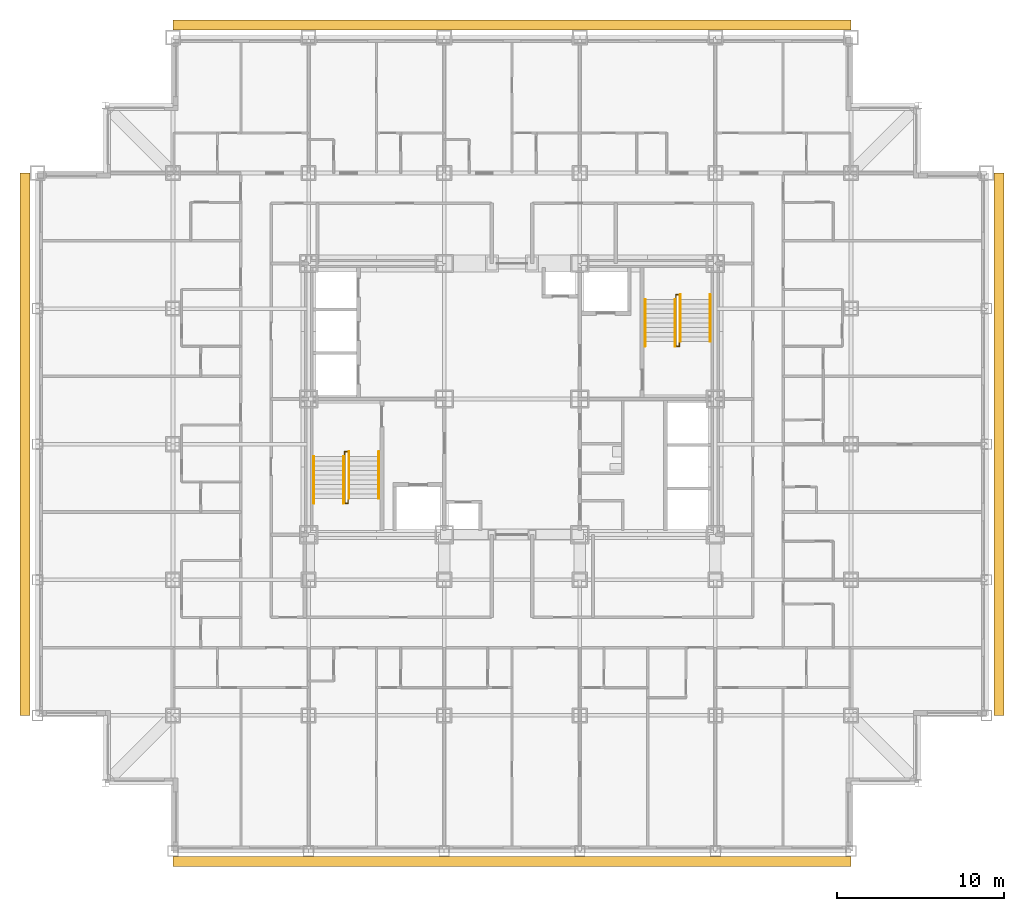
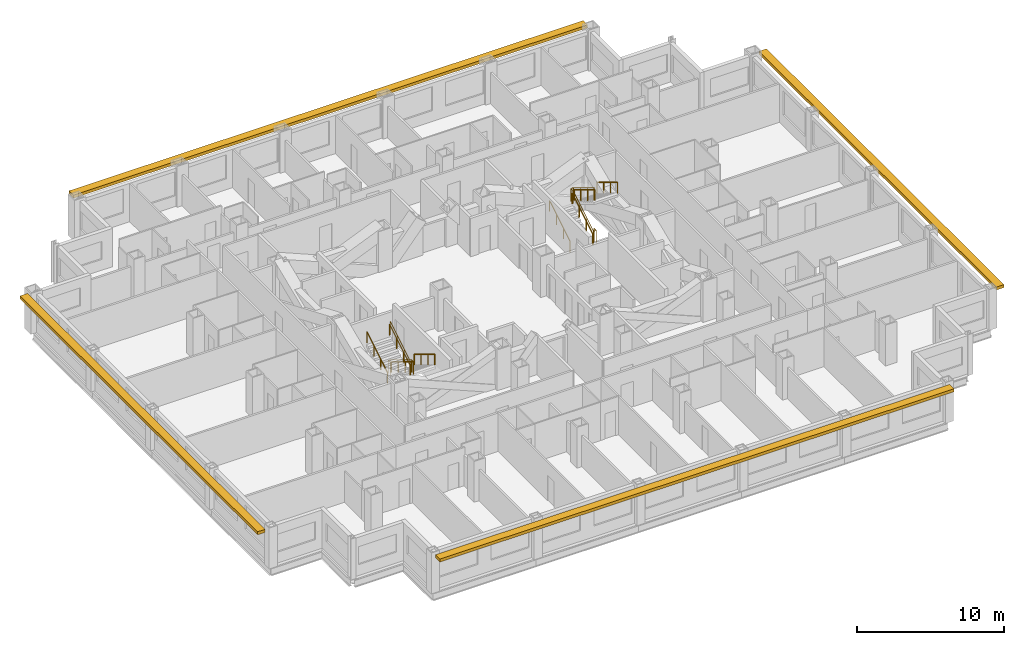
# One storey, part 12 of 13: 10 railings, 4 shading devices.
"""IFC4 building model written with IfcOpenShell, lengths in metres."""

from ifc_helpers import new_model, si_unit, direction, frame, origin, origin_2d, place, context, subcontext, project, spatial, rectangle, circle, extrude, material, type_object, element, save


model = new_model("IFC4")

# Units and contexts
model_context = context("Model", 3, precision=1e-05, world=origin(), true_north=direction((0.0, 1.0)))
body_context = subcontext(model_context, "Body", "Model", "MODEL_VIEW")
ifc_project = project(units=[si_unit("LENGTHUNIT", "METRE"), si_unit("AREAUNIT", "SQUARE_METRE"), si_unit("VOLUMEUNIT", "CUBIC_METRE"), si_unit("PLANEANGLEUNIT", "RADIAN"), si_unit("MASSUNIT", "GRAM", prefix="KILO")], contexts=[model_context])

# Site, building, storey
site_placement = place(None, origin())
site = spatial("IfcSite", under=ifc_project, at=site_placement, CompositionType="ELEMENT")
building_placement = place(site_placement, origin())
building = spatial("IfcBuilding", under=site, at=building_placement, Name="Kopane Lantern Tower", CompositionType="ELEMENT")
storey_placement = place(building_placement, frame((0.0, 0.0, 113.60009765625)))
storey = spatial("IfcBuildingStorey", under=building, at=storey_placement, Name="L28", CompositionType="ELEMENT", Elevation=113.60009765625)

# Railings
ifc_material_1 = material(Name="Steel", Category="steel")
railing_type_1 = type_object("IfcRailingType", Name="STAIR GUARD 1100", PredefinedType="GUARDRAIL", material=ifc_material_1)
railing_1_placement = place(storey_placement, frame((18.35009765625, 28.969970703125, 0.0)))
element("IfcRailing", 1, at=railing_1_placement, inside=storey, type_object=railing_type_1, Name="ST1 well guard L28", PredefinedType="GUARDRAIL", context=body_context, shape_type="SweptSolid", body=[
    extrude(circle(Radius=0.02392578125, at=origin_2d()), frame((0.0, 0.0, 1.076171875), z_axis=(0.0, 1.0, 0.0), x_axis=(-1.0, 0.0, 0.0)), (0.0, 0.0, 1.0), 0.280029296875),
    extrude(circle(Radius=0.02392578125, at=origin_2d()), frame((0.0, 0.280029296875, 1.076171875), z_axis=(1.0, 0.0, 0.0), x_axis=(0.0, 1.0, 0.0)), (0.0, 0.0, 1.0), 0.199951171875),
    extrude(circle(Radius=0.02392578125, at=origin_2d()), frame((0.199951171875, 0.280029296875, 1.076171875), z_axis=(0.0, -0.854798142509, 0.518960630071), x_axis=(1.0, 0.0, 0.0)), (0.0, 0.0, 1.0), 3.275634765625),
    extrude(circle(Radius=0.02392578125, at=origin_2d()), frame((0.199951171875, -2.52001953125, 2.77587890625), z_axis=(0.0, -1.0, 0.0), x_axis=(1.0, 0.0, 0.0)), (0.0, 0.0, 1.0), 0.280029296875),
    extrude(circle(Radius=0.02392578125, at=origin_2d()), frame((0.199951171875, -2.800048828125, 2.77587890625), z_axis=(-1.0, 0.0, 0.0), x_axis=(0.0, -1.0, 0.0)), (0.0, 0.0, 1.0), 0.199951171875),
    extrude(circle(Radius=0.02392578125, at=origin_2d()), frame((0.0, -2.800048828125, 2.77587890625), z_axis=(0.0, 0.854798142509, 0.518960630071), x_axis=(-1.0, 0.0, 0.0)), (0.0, 0.0, 1.0), 3.275634765625),
    extrude(circle(Radius=0.02099609375, at=origin_2d()), origin(), (0.0, 0.0, 1.0), 1.052001953125),
    extrude(circle(Radius=0.02099609375, at=origin_2d()), frame((0.0, 0.280029296875, 0.0)), (0.0, 0.0, 1.0), 1.052001953125),
    extrude(circle(Radius=0.02099609375, at=origin_2d()), frame((0.199951171875, 0.280029296875, 0.0)), (0.0, 0.0, 1.0), 1.052001953125),
    extrude(circle(Radius=0.02099609375, at=origin_2d()), frame((0.199951171875, -0.6533203125, 0.566650390625)), (0.0, 0.0, 1.0), 1.052001953125),
    extrude(circle(Radius=0.02099609375, at=origin_2d()), frame((0.199951171875, -1.586669921875, 1.13330078125)), (0.0, 0.0, 1.0), 1.052001953125),
    extrude(circle(Radius=0.02099609375, at=origin_2d()), frame((0.199951171875, -2.52001953125, 1.699951171875)), (0.0, 0.0, 1.0), 1.052001953125),
    extrude(circle(Radius=0.02099609375, at=origin_2d()), frame((0.199951171875, -2.800048828125, 1.699951171875)), (0.0, 0.0, 1.0), 1.052001953125),
    extrude(circle(Radius=0.02099609375, at=origin_2d()), frame((0.0, -2.800048828125, 1.699951171875)), (0.0, 0.0, 1.0), 1.052001953125),
    extrude(circle(Radius=0.02099609375, at=origin_2d()), frame((0.0, -1.86669921875, 2.2666015625)), (0.0, 0.0, 1.0), 1.052001953125),
    extrude(circle(Radius=0.02099609375, at=origin_2d()), frame((0.0, -0.933349609375, 2.833251953125)), (0.0, 0.0, 1.0), 1.052001953125),
    extrude(circle(Radius=0.02099609375, at=origin_2d()), frame((0.0, 0.0, 3.39990234375)), (0.0, 0.0, 1.0), 1.052001953125),
])
railing_2_placement = place(storey_placement, frame((38.35009765625, 35.830078125, 0.0)))
element("IfcRailing", 2, at=railing_2_placement, inside=storey, type_object=railing_type_1, Name="ST2 well guard L28", PredefinedType="GUARDRAIL", context=body_context, shape_type="SweptSolid", body=[
    extrude(circle(Radius=0.02392578125, at=origin_2d()), frame((0.0, 0.0, 1.076171875), z_axis=(0.0, -1.0, 0.0), x_axis=(1.0, 0.0, 0.0)), (0.0, 0.0, 1.0), 0.280029296875),
    extrude(circle(Radius=0.02392578125, at=origin_2d()), frame((0.0, -0.280029296875, 1.076171875), z_axis=(-1.0, 0.0, 0.0), x_axis=(0.0, -1.0, 0.0)), (0.0, 0.0, 1.0), 0.2001953125),
    extrude(circle(Radius=0.02392578125, at=origin_2d()), frame((-0.2001953125, -0.280029296875, 1.076171875), z_axis=(0.0, 0.854798142509, 0.518960630071), x_axis=(-1.0, 0.0, 0.0)), (0.0, 0.0, 1.0), 3.275634765625),
    extrude(circle(Radius=0.02392578125, at=origin_2d()), frame((-0.2001953125, 2.52001953125, 2.77587890625), z_axis=(0.0, 1.0, 0.0), x_axis=(-1.0, 0.0, 0.0)), (0.0, 0.0, 1.0), 0.27978515625),
    extrude(circle(Radius=0.02392578125, at=origin_2d()), frame((-0.2001953125, 2.7998046875, 2.77587890625), z_axis=(1.0, 0.0, 0.0), x_axis=(0.0, 1.0, 0.0)), (0.0, 0.0, 1.0), 0.2001953125),
    extrude(circle(Radius=0.02392578125, at=origin_2d()), frame((0.0, 2.7998046875, 2.77587890625), z_axis=(0.0, -0.854778067842, 0.518993694313), x_axis=(1.0, 0.0, 0.0)), (0.0, 0.0, 1.0), 3.275390625),
    extrude(circle(Radius=0.02099609375, at=origin_2d()), origin(), (0.0, 0.0, 1.0), 1.052001953125),
    extrude(circle(Radius=0.02099609375, at=origin_2d()), frame((0.0, -0.280029296875, 0.0)), (0.0, 0.0, 1.0), 1.052001953125),
    extrude(circle(Radius=0.02099609375, at=origin_2d()), frame((-0.2001953125, -0.280029296875, 0.0)), (0.0, 0.0, 1.0), 1.052001953125),
    extrude(circle(Radius=0.02099609375, at=origin_2d()), frame((-0.2001953125, 0.6533203125, 0.566650390625)), (0.0, 0.0, 1.0), 1.052001953125),
    extrude(circle(Radius=0.02099609375, at=origin_2d()), frame((-0.2001953125, 1.586669921875, 1.13330078125)), (0.0, 0.0, 1.0), 1.052001953125),
    extrude(circle(Radius=0.02099609375, at=origin_2d()), frame((-0.2001953125, 2.52001953125, 1.699951171875)), (0.0, 0.0, 1.0), 1.052001953125),
    extrude(circle(Radius=0.02099609375, at=origin_2d()), frame((-0.2001953125, 2.7998046875, 1.699951171875)), (0.0, 0.0, 1.0), 1.052001953125),
    extrude(circle(Radius=0.02099609375, at=origin_2d()), frame((0.0, 2.7998046875, 1.699951171875)), (0.0, 0.0, 1.0), 1.052001953125),
    extrude(circle(Radius=0.02099609375, at=origin_2d()), frame((0.0, 1.866455078125, 2.2666015625)), (0.0, 0.0, 1.0), 1.052001953125),
    extrude(circle(Radius=0.02099609375, at=origin_2d()), frame((0.0, 0.933349609375, 2.833251953125)), (0.0, 0.0, 1.0), 1.052001953125),
    extrude(circle(Radius=0.02099609375, at=origin_2d()), frame((0.0, 0.0, 3.39990234375)), (0.0, 0.0, 1.0), 1.052001953125),
])
ifc_material_2 = material(Name="Steel", Category="steel")
railing_type_2 = type_object("IfcRailingType", Name="STAIR HANDRAIL 900", PredefinedType="HANDRAIL", material=ifc_material_2)
for number, where, name in (
    (3, (20.389892578125, 29.25, 0.0), "ST1 handrail L28 flight 1"),
    (4, (18.610107421875, 29.25, 0.0), "ST1 handrail L28 flight 1"),
):
    element("IfcRailing", number, at=place(storey_placement, frame(where)), inside=storey, type_object=railing_type_2, Name=name, PredefinedType="HANDRAIL", context=body_context, shape_type="SweptSolid", body=[
        extrude(circle(Radius=0.02392578125, at=origin_2d()), frame((0.0, 0.0, 0.8759765625), z_axis=(0.0, -0.854798142509, 0.518960630071), x_axis=(1.0, 0.0, 0.0)), (0.0, 0.0, 1.0), 3.275634765625),
        extrude(circle(Radius=0.02099609375, at=origin_2d()), origin(), (0.0, 0.0, 1.0), 0.851806640625),
        extrude(circle(Radius=0.02099609375, at=origin_2d()), frame((0.0, -0.933349609375, 0.566650390625)), (0.0, 0.0, 1.0), 0.851806640625),
        extrude(circle(Radius=0.02099609375, at=origin_2d()), frame((0.0, -1.86669921875, 1.13330078125)), (0.0, 0.0, 1.0), 0.851806640625),
        extrude(circle(Radius=0.02099609375, at=origin_2d()), frame((0.0, -2.800048828125, 1.699951171875)), (0.0, 0.0, 1.0), 0.851806640625),
    ])
for number, where, name in (
    (5, (16.510009765625, 26.169921875, 1.699951171875), "ST1 handrail L28 flight 2"),
    (6, (18.2900390625, 26.169921875, 1.699951171875), "ST1 handrail L28 flight 2"),
    (7, (36.31005859375, 35.550048828125, 0.0), "ST2 handrail L28 flight 1"),
    (8, (38.090087890625, 35.550048828125, 0.0), "ST2 handrail L28 flight 1"),
):
    element("IfcRailing", number, at=place(storey_placement, frame(where)), inside=storey, type_object=railing_type_2, Name=name, PredefinedType="HANDRAIL", context=body_context, shape_type="SweptSolid", body=[
        extrude(circle(Radius=0.02392578125, at=origin_2d()), frame((0.0, 0.0, 0.8759765625), z_axis=(0.0, 0.854798142509, 0.518960630071), x_axis=(-1.0, 0.0, 0.0)), (0.0, 0.0, 1.0), 3.275634765625),
        extrude(circle(Radius=0.02099609375, at=origin_2d()), origin(), (0.0, 0.0, 1.0), 0.851806640625),
        extrude(circle(Radius=0.02099609375, at=origin_2d()), frame((0.0, 0.933349609375, 0.566650390625)), (0.0, 0.0, 1.0), 0.851806640625),
        extrude(circle(Radius=0.02099609375, at=origin_2d()), frame((0.0, 1.86669921875, 1.13330078125)), (0.0, 0.0, 1.0), 0.851806640625),
        extrude(circle(Radius=0.02099609375, at=origin_2d()), frame((0.0, 2.800048828125, 1.699951171875)), (0.0, 0.0, 1.0), 0.851806640625),
    ])
for number, where, name in (
    (9, (40.18994140625, 38.6298828125, 1.699951171875), "ST2 handrail L28 flight 2"),
    (10, (38.409912109375, 38.6298828125, 1.699951171875), "ST2 handrail L28 flight 2"),
):
    element("IfcRailing", number, at=place(storey_placement, frame(where)), inside=storey, type_object=railing_type_2, Name=name, PredefinedType="HANDRAIL", context=body_context, shape_type="SweptSolid", body=[
        extrude(circle(Radius=0.02392578125, at=origin_2d()), frame((0.0, 0.0, 0.8759765625), z_axis=(0.0, -0.854778067842, 0.518993694313), x_axis=(1.0, 0.0, 0.0)), (0.0, 0.0, 1.0), 3.275390625),
        extrude(circle(Radius=0.02099609375, at=origin_2d()), origin(), (0.0, 0.0, 1.0), 0.851806640625),
        extrude(circle(Radius=0.02099609375, at=origin_2d()), frame((0.0, -0.933349609375, 0.566650390625)), (0.0, 0.0, 1.0), 0.851806640625),
        extrude(circle(Radius=0.02099609375, at=origin_2d()), frame((0.0, -1.866455078125, 1.13330078125)), (0.0, 0.0, 1.0), 0.851806640625),
        extrude(circle(Radius=0.02099609375, at=origin_2d()), frame((0.0, -2.7998046875, 1.699951171875)), (0.0, 0.0, 1.0), 0.851806640625),
    ])

# Shading devices
ifc_material_3 = material(Name="Terracotta rainscreen on light steel framing", Category="masonry")
shading_device_type = type_object("IfcShadingDeviceType", Name="SUNSHADE BAND SB1 600 TERRACOTTA", PredefinedType="USERDEFINED", material=ifc_material_3)
shading_device_1_placement = place(storey_placement, frame((28.35009765625, 4.77490234375, 2.89990234375), z_axis=(0.0, 0.0, 1.0), x_axis=(1.0, 0.0, 0.0)))
element("IfcShadingDevice", 11, at=shading_device_1_placement, inside=storey, type_object=shading_device_type, Name="Sunshade band S L28", ObjectType="SUNSHADE BAND", PredefinedType="USERDEFINED", context=body_context, shape_type="SweptSolid", body=[
    extrude(rectangle(XDim=40.5, YDim=0.60009765625, at=origin_2d()), origin(), (0.0, 0.0, 1.0), 0.25),
])
shading_device_2_placement = place(storey_placement, frame((57.449951171875, 29.699951171875, 2.89990234375), z_axis=(0.0, 0.0, 1.0), x_axis=(0.0, 1.0, 0.0)))
element("IfcShadingDevice", 12, at=shading_device_2_placement, inside=storey, type_object=shading_device_type, Name="Sunshade band E L28", ObjectType="SUNSHADE BAND", PredefinedType="USERDEFINED", context=body_context, shape_type="SweptSolid", body=[
    extrude(rectangle(XDim=32.39990234375, YDim=0.60009765625, at=origin_2d()), origin(), (0.0, 0.0, 1.0), 0.25),
])
shading_device_3_placement = place(storey_placement, frame((28.35009765625, 54.75, 2.89990234375), z_axis=(0.0, 0.0, 1.0), x_axis=(-1.0, 0.0, 0.0)))
element("IfcShadingDevice", 13, at=shading_device_3_placement, inside=storey, type_object=shading_device_type, Name="Sunshade band N L28", ObjectType="SUNSHADE BAND", PredefinedType="USERDEFINED", context=body_context, shape_type="SweptSolid", body=[
    extrude(rectangle(XDim=40.5, YDim=0.60009765625, at=origin_2d()), origin(), (0.0, 0.0, 1.0), 0.25),
])
shading_device_4_placement = place(storey_placement, frame((-0.75, 29.699951171875, 2.89990234375), z_axis=(0.0, 0.0, 1.0), x_axis=(0.0, -1.0, 0.0)))
element("IfcShadingDevice", 14, at=shading_device_4_placement, inside=storey, type_object=shading_device_type, Name="Sunshade band W L28", ObjectType="SUNSHADE BAND", PredefinedType="USERDEFINED", context=body_context, shape_type="SweptSolid", body=[
    extrude(rectangle(XDim=32.39990234375, YDim=0.60009765625, at=origin_2d()), origin(), (0.0, 0.0, 1.0), 0.25),
])

save(model, "model.ifc")
